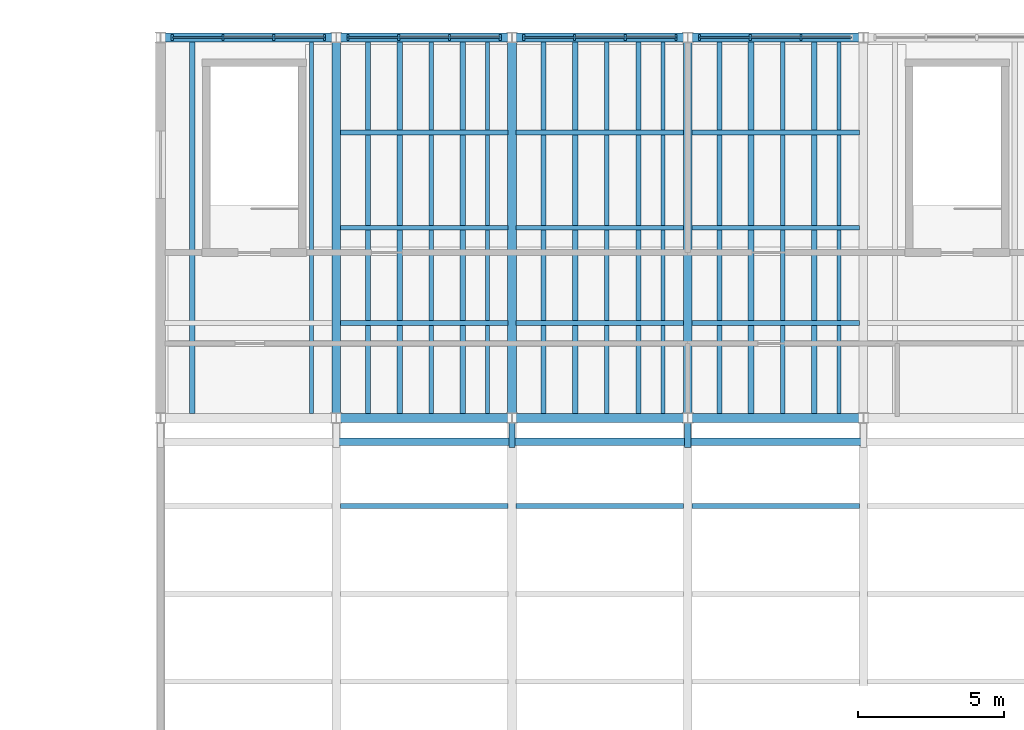
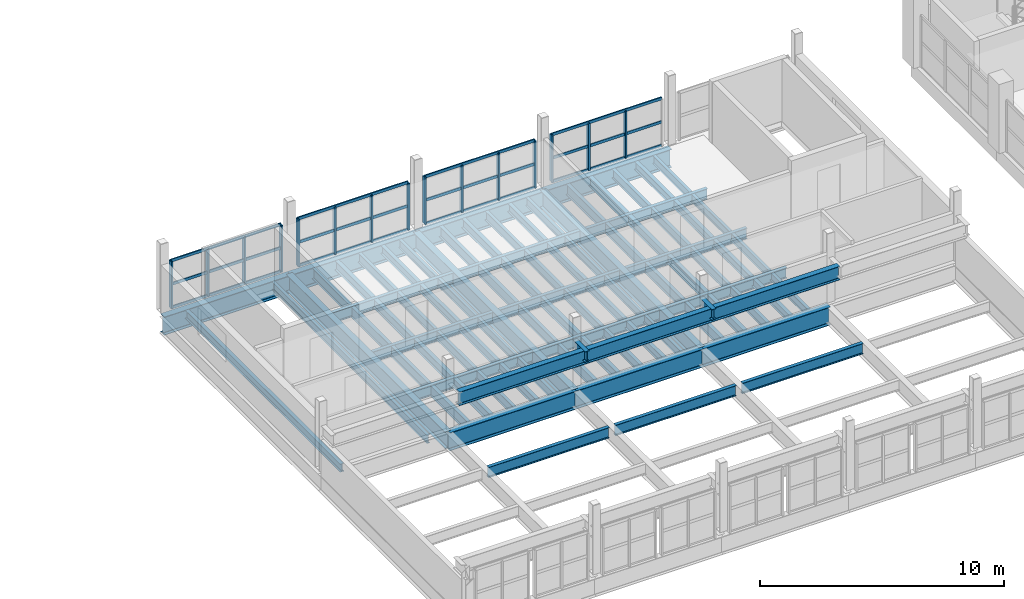
# One storey, part 38 of 77: 44 beams, 27 members, 4 elements without a shape of their own.
"""IFC4 building model written with IfcOpenShell, lengths in metres."""

from ifc_helpers import new_model, si_unit, direction, frame, origin, origin_2d, place, context, subcontext, project, spatial, rectangle, i_section, extrude, material, layer, layer_set, material_profile, profile_set, type_object, element, aggregate, save


model = new_model("IFC4")

# Units and contexts
model_context = context("Model", 3, precision=1e-05, world=origin(), true_north=direction((0.0, 1.0)))
body_context = subcontext(model_context, "Body", "Model", "MODEL_VIEW")
ifc_project = project(units=[si_unit("LENGTHUNIT", "METRE"), si_unit("AREAUNIT", "SQUARE_METRE"), si_unit("VOLUMEUNIT", "CUBIC_METRE"), si_unit("PLANEANGLEUNIT", "RADIAN"), si_unit("MASSUNIT", "GRAM", prefix="KILO")], contexts=[model_context])

# Site, building, storey
site_placement = place(None, origin())
site = spatial("IfcSite", under=ifc_project, at=site_placement, CompositionType="ELEMENT")
building_placement = place(site_placement, origin())
building = spatial("IfcBuilding", under=site, at=building_placement, Name="Trellovar Central Fire Station", CompositionType="ELEMENT")
storey_placement = place(building_placement, frame((0.0, 0.0, 5.85009765625)))
storey = spatial("IfcBuildingStorey", under=building, at=storey_placement, Name="L02", CompositionType="ELEMENT", Elevation=5.85009765625)

# Beams
ifc_material_1 = material(Name="Steel ASTM A992 Grade 50", Category="steel")
ifc_material_profile_1 = material_profile(ifc_material_1, i_section(OverallWidth=0.3046875, OverallDepth=0.911865234375, WebThickness=0.015869140625, FlangeThickness=0.02392578125, FilletRadius=0.024169921875, at=origin_2d()), Name="W36X150")
ifc_profile_set_1 = profile_set([ifc_material_profile_1], Name="Steel ASTM A992 Grade 50")
beam_type_1 = type_object("IfcBeamType", Name="BM-SW1", PredefinedType="BEAM", material=ifc_profile_set_1)
for number, where, z_axis, x_axis, name in (
    (1, (111.5, 60.0, -0.7060546875), (1.0, 0.0, 0.0), (0.0, 1.0, 0.0), "L02 beam SB-1"),
    (2, (117.5, 60.0, -0.7060546875), (1.0, 0.0, 0.0), (0.0, 1.0, 0.0), "L02 beam SB-1"),
    (3, (123.5, 60.0, -0.7060546875), (1.0, 0.0, 0.0), (0.0, 1.0, 0.0), "L02 beam SB-1"),
    (4, (105.5, 73.0, -0.7060546875), (1.0, 0.0, 0.0), (0.0, 1.0, 0.0), "L02 beam SB-1"),
    (5, (111.5, 73.0, -0.7060546875), (1.0, 0.0, 0.0), (0.0, 1.0, 0.0), "L02 beam SB-1"),
    (6, (117.5, 73.0, -0.7060546875), (1.0, 0.0, 0.0), (0.0, 1.0, 0.0), "L02 beam SB-1"),
    (7, (123.5, 73.0, -0.7060546875), (1.0, 0.0, 0.0), (0.0, 1.0, 0.0), "L02 beam SB-1"),
):
    element("IfcBeam", number, at=place(storey_placement, frame(where, z_axis=z_axis, x_axis=x_axis)), inside=storey, type_object=beam_type_1, Name=name, PredefinedType="BEAM", context=body_context, shape_type="SweptSolid", body=[
        extrude(i_section(OverallWidth=0.3046875, OverallDepth=0.911865234375, WebThickness=0.015869140625, FlangeThickness=0.02392578125, FilletRadius=0.024169921875, at=origin_2d()), origin(), (0.0, 0.0, 1.0), 6.0),
    ])
ifc_material_2 = material(Name="Steel ASTM A992 Grade 50", Category="steel")
ifc_material_profile_2 = material_profile(ifc_material_2, i_section(OverallWidth=0.15283203125, OverallDepth=0.45458984375, WebThickness=0.008056640625, FlangeThickness=0.01318359375, FilletRadius=0.0126953125, at=origin_2d()), Name="W18X40")
ifc_profile_set_2 = profile_set([ifc_material_profile_2], Name="Steel ASTM A992 Grade 50")
beam_type_2 = type_object("IfcBeamType", Name="BM-SW10", PredefinedType="JOIST", material=ifc_profile_set_2)
for number, where, z_axis, x_axis, name in (
    (8, (114.739990234375, 60.14990234375, -0.4775390625), (0.0, 1.0, 0.0), (-1.0, 0.0, 0.0), "L02 secondary steel deck joist"),
    (9, (120.739990234375, 60.14990234375, -0.4775390625), (0.0, 1.0, 0.0), (-1.0, 0.0, 0.0), "L02 secondary steel deck joist"),
    (10, (126.739990234375, 60.14990234375, -0.4775390625), (0.0, 1.0, 0.0), (-1.0, 0.0, 0.0), "L02 secondary steel deck joist"),
):
    element("IfcBeam", number, at=place(storey_placement, frame(where, z_axis=z_axis, x_axis=x_axis)), inside=storey, type_object=beam_type_2, Name=name, PredefinedType="JOIST", context=body_context, shape_type="SweptSolid", body=[
        extrude(i_section(OverallWidth=0.15283203125, OverallDepth=0.45458984375, WebThickness=0.008056640625, FlangeThickness=0.01318359375, FilletRadius=0.0126953125, at=origin_2d()), origin(), (0.0, 0.0, 1.0), 12.7001953125),
    ])
ifc_material_3 = material(Name="Steel ASTM A992 Grade 50", Category="steel")
ifc_material_profile_3 = material_profile(ifc_material_3, i_section(OverallWidth=0.177490234375, OverallDepth=0.40380859375, WebThickness=0.007568359375, FlangeThickness=0.010986328125, FilletRadius=0.011474609375, at=origin_2d()), Name="W16X36")
ifc_profile_set_3 = profile_set([ifc_material_profile_3], Name="Steel ASTM A992 Grade 50")
beam_type_3 = type_object("IfcBeamType", Name="BM-SW11", PredefinedType="JOIST", material=ifc_profile_set_3)
for number, where, z_axis, x_axis, name in (
    (11, (106.580078125, 60.14990234375, -0.4521484375), (0.0, 1.0, 0.0), (-1.0, 0.0, 0.0), "L02 secondary steel deck joist"),
    (12, (115.820068359375, 60.14990234375, -0.4521484375), (0.0, 1.0, 0.0), (-1.0, 0.0, 0.0), "L02 secondary steel deck joist"),
    (13, (121.820068359375, 60.14990234375, -0.4521484375), (0.0, 1.0, 0.0), (-1.0, 0.0, 0.0), "L02 secondary steel deck joist"),
    (14, (127.820068359375, 60.14990234375, -0.4521484375), (0.0, 1.0, 0.0), (-1.0, 0.0, 0.0), "L02 secondary steel deck joist"),
):
    element("IfcBeam", number, at=place(storey_placement, frame(where, z_axis=z_axis, x_axis=x_axis)), inside=storey, type_object=beam_type_3, Name=name, PredefinedType="JOIST", context=body_context, shape_type="SweptSolid", body=[
        extrude(i_section(OverallWidth=0.177490234375, OverallDepth=0.40380859375, WebThickness=0.007568359375, FlangeThickness=0.010986328125, FilletRadius=0.011474609375, at=origin_2d()), origin(), (0.0, 0.0, 1.0), 12.7001953125),
    ])
ifc_material_4 = material(Name="Steel ASTM A992 Grade 50", Category="steel")
ifc_material_profile_4 = material_profile(ifc_material_4, i_section(OverallWidth=0.140380859375, OverallDepth=0.4033203125, WebThickness=0.007080078125, FlangeThickness=0.01123046875, FilletRadius=0.011474609375, at=origin_2d()), Name="W16X31")
ifc_profile_set_4 = profile_set([ifc_material_profile_4], Name="Steel ASTM A992 Grade 50")
beam_type_4 = type_object("IfcBeamType", Name="BM-SW12", PredefinedType="JOIST", material=ifc_profile_set_4)
for number, where, z_axis, x_axis, name in (
    (15, (110.659912109375, 60.14990234375, -0.451904296875), (0.0, 1.0, 0.0), (-1.0, 0.0, 0.0), "L02 secondary steel deck joist"),
    (16, (116.659912109375, 60.14990234375, -0.451904296875), (0.0, 1.0, 0.0), (-1.0, 0.0, 0.0), "L02 secondary steel deck joist"),
    (17, (122.659912109375, 60.14990234375, -0.451904296875), (0.0, 1.0, 0.0), (-1.0, 0.0, 0.0), "L02 secondary steel deck joist"),
    (18, (128.659912109375, 60.14990234375, -0.451904296875), (0.0, 1.0, 0.0), (-1.0, 0.0, 0.0), "L02 secondary steel deck joist"),
):
    element("IfcBeam", number, at=place(storey_placement, frame(where, z_axis=z_axis, x_axis=x_axis)), inside=storey, type_object=beam_type_4, Name=name, PredefinedType="JOIST", context=body_context, shape_type="SweptSolid", body=[
        extrude(i_section(OverallWidth=0.140380859375, OverallDepth=0.4033203125, WebThickness=0.007080078125, FlangeThickness=0.01123046875, FilletRadius=0.011474609375, at=origin_2d()), origin(), (0.0, 0.0, 1.0), 12.7001953125),
    ])
ifc_material_5 = material(Name="Steel ASTM A992 Grade 50", Category="steel")
ifc_material_profile_5 = material_profile(ifc_material_5, i_section(OverallWidth=0.2919921875, OverallDepth=0.8408203125, WebThickness=0.0146484375, FlangeThickness=0.021728515625, FilletRadius=0.020263671875, at=origin_2d()), Name="W33X130")
ifc_profile_set_5 = profile_set([ifc_material_profile_5], Name="Steel ASTM A992 Grade 50")
beam_type_5 = type_object("IfcBeamType", Name="BM-SW2", PredefinedType="BEAM", material=ifc_profile_set_5)
for number, where, z_axis, x_axis, name in (
    (19, (111.5, 60.0, -0.67041015625), (0.0, 1.0, 0.0), (-1.0, 0.0, 0.0), "L02 beam SB-2"),
    (20, (117.5, 60.0, -0.67041015625), (0.0, 1.0, 0.0), (-1.0, 0.0, 0.0), "L02 beam SB-2"),
    (21, (123.5, 60.0, -0.67041015625), (0.0, 1.0, 0.0), (-1.0, 0.0, 0.0), "L02 beam SB-2"),
):
    element("IfcBeam", number, at=place(storey_placement, frame(where, z_axis=z_axis, x_axis=x_axis)), inside=storey, type_object=beam_type_5, Name=name, PredefinedType="BEAM", context=body_context, shape_type="SweptSolid", body=[
        extrude(i_section(OverallWidth=0.2919921875, OverallDepth=0.8408203125, WebThickness=0.0146484375, FlangeThickness=0.021728515625, FilletRadius=0.020263671875, at=origin_2d()), origin(), (0.0, 0.0, 1.0), 13.0),
    ])
ifc_material_6 = material(Name="Steel ASTM A992 Grade 50", Category="steel")
ifc_material_profile_6 = material_profile(ifc_material_6, i_section(OverallWidth=0.253662109375, OverallDepth=0.683349609375, WebThickness=0.012451171875, FlangeThickness=0.018798828125, FilletRadius=0.0166015625, at=origin_2d()), Name="W27X94")
ifc_profile_set_6 = profile_set([ifc_material_profile_6], Name="Steel ASTM A992 Grade 50")
beam_type_6 = type_object("IfcBeamType", Name="BM-SW4", PredefinedType="BEAM", material=ifc_profile_set_6)
for number, where, z_axis, x_axis, name in (
    (22, (111.5, 59.199951171875, 1.908203125), (1.0, 0.0, 0.0), (0.0, 1.0, 0.0), "Fleet workshop 10t bridge crane runway beam"),
    (23, (117.5, 59.199951171875, 1.908203125), (1.0, 0.0, 0.0), (0.0, 1.0, 0.0), "Fleet workshop 10t bridge crane runway beam"),
    (24, (123.5, 59.199951171875, 1.908203125), (1.0, 0.0, 0.0), (0.0, 1.0, 0.0), "Fleet workshop 10t bridge crane runway beam"),
):
    element("IfcBeam", number, at=place(storey_placement, frame(where, z_axis=z_axis, x_axis=x_axis)), inside=storey, type_object=beam_type_6, Name=name, PredefinedType="BEAM", context=body_context, shape_type="SweptSolid", body=[
        extrude(i_section(OverallWidth=0.253662109375, OverallDepth=0.683349609375, WebThickness=0.012451171875, FlangeThickness=0.018798828125, FilletRadius=0.0166015625, at=origin_2d()), origin(), (0.0, 0.0, 1.0), 6.0),
    ])
ifc_material_7 = material(Name="Steel ASTM A992 Grade 50", Category="steel")
ifc_material_profile_7 = material_profile(ifc_material_7, i_section(OverallWidth=0.209228515625, OverallDepth=0.533447265625, WebThickness=0.01025390625, FlangeThickness=0.015625, FilletRadius=0.013916015625, at=origin_2d()), Name="W21X62")
ifc_profile_set_7 = profile_set([ifc_material_profile_7], Name="Steel ASTM A992 Grade 50")
beam_type_7 = type_object("IfcBeamType", Name="BM-SW7", PredefinedType="BEAM", material=ifc_profile_set_7)
for number, where, z_axis, x_axis, name in (
    (25, (117.5, 59.0, 1.983154296875), (0.0, 1.0, 0.0), (-1.0, 0.0, 0.0), "Crane runway column corbel N"),
    (26, (123.5, 59.0, 1.983154296875), (0.0, 1.0, 0.0), (-1.0, 0.0, 0.0), "Crane runway column corbel N"),
):
    element("IfcBeam", number, at=place(storey_placement, frame(where, z_axis=z_axis, x_axis=x_axis)), inside=storey, type_object=beam_type_7, Name=name, PredefinedType="BEAM", context=body_context, shape_type="SweptSolid", body=[
        extrude(i_section(OverallWidth=0.209228515625, OverallDepth=0.533447265625, WebThickness=0.01025390625, FlangeThickness=0.015625, FilletRadius=0.013916015625, at=origin_2d()), origin(), (0.0, 0.0, 1.0), 1.0),
    ])
ifc_material_8 = material(Name="Steel ASTM A992 Grade 50", Category="steel")
ifc_material_profile_8 = material_profile(ifc_material_8, i_section(OverallWidth=0.166015625, OverallDepth=0.529052734375, WebThickness=0.009765625, FlangeThickness=0.013671875, FilletRadius=0.013916015625, at=origin_2d()), Name="W21X50")
ifc_profile_set_8 = profile_set([ifc_material_profile_8], Name="Steel ASTM A992 Grade 50")
beam_type_8 = type_object("IfcBeamType", Name="BM-SW8", PredefinedType="JOIST", material=ifc_profile_set_8)
for number, where, z_axis, x_axis, name in (
    (27, (111.64111328125, 57.0, -0.5146484375), (1.0, 0.0, 0.0), (0.0, 1.0, 0.0), "L02 beam SB-8"),
    (28, (111.64111328125, 63.25, -0.5146484375), (1.0, 0.0, 0.0), (0.0, 1.0, 0.0), "L02 beam SB-8"),
    (29, (111.64111328125, 66.5, -0.5146484375), (1.0, 0.0, 0.0), (0.0, 1.0, 0.0), "L02 beam SB-8"),
    (30, (111.64111328125, 69.75, -0.5146484375), (1.0, 0.0, 0.0), (0.0, 1.0, 0.0), "L02 beam SB-8"),
    (31, (117.64111328125, 57.0, -0.5146484375), (1.0, 0.0, 0.0), (0.0, 1.0, 0.0), "L02 beam SB-8"),
    (32, (117.64111328125, 63.25, -0.5146484375), (1.0, 0.0, 0.0), (0.0, 1.0, 0.0), "L02 beam SB-8"),
    (33, (117.64111328125, 66.5, -0.5146484375), (1.0, 0.0, 0.0), (0.0, 1.0, 0.0), "L02 beam SB-8"),
    (34, (117.64111328125, 69.75, -0.5146484375), (1.0, 0.0, 0.0), (0.0, 1.0, 0.0), "L02 beam SB-8"),
    (35, (123.64111328125, 57.0, -0.5146484375), (1.0, 0.0, 0.0), (0.0, 1.0, 0.0), "L02 beam SB-8"),
    (36, (123.64111328125, 63.25, -0.5146484375), (1.0, 0.0, 0.0), (0.0, 1.0, 0.0), "L02 beam SB-8"),
    (37, (123.64111328125, 66.5, -0.5146484375), (1.0, 0.0, 0.0), (0.0, 1.0, 0.0), "L02 beam SB-8"),
    (38, (123.64111328125, 69.75, -0.5146484375), (1.0, 0.0, 0.0), (0.0, 1.0, 0.0), "L02 beam SB-8"),
):
    element("IfcBeam", number, at=place(storey_placement, frame(where, z_axis=z_axis, x_axis=x_axis)), inside=storey, type_object=beam_type_8, Name=name, PredefinedType="JOIST", context=body_context, shape_type="SweptSolid", body=[
        extrude(i_section(OverallWidth=0.166015625, OverallDepth=0.529052734375, WebThickness=0.009765625, FlangeThickness=0.013671875, FilletRadius=0.013916015625, at=origin_2d()), origin(), (0.0, 0.0, 1.0), 5.7177734375),
    ])
for number, where, z_axis, x_axis, name in (
    (39, (112.580078125, 60.14990234375, -0.5146484375), (0.0, 1.0, 0.0), (-1.0, 0.0, 0.0), "L02 secondary steel deck joist"),
    (40, (118.580078125, 60.14990234375, -0.5146484375), (0.0, 1.0, 0.0), (-1.0, 0.0, 0.0), "L02 secondary steel deck joist"),
    (41, (124.580078125, 60.14990234375, -0.5146484375), (0.0, 1.0, 0.0), (-1.0, 0.0, 0.0), "L02 secondary steel deck joist"),
):
    element("IfcBeam", number, at=place(storey_placement, frame(where, z_axis=z_axis, x_axis=x_axis)), inside=storey, type_object=beam_type_8, Name=name, PredefinedType="JOIST", context=body_context, shape_type="SweptSolid", body=[
        extrude(i_section(OverallWidth=0.166015625, OverallDepth=0.529052734375, WebThickness=0.009765625, FlangeThickness=0.013671875, FilletRadius=0.013916015625, at=origin_2d()), origin(), (0.0, 0.0, 1.0), 12.7001953125),
    ])
ifc_material_9 = material(Name="Steel ASTM A992 Grade 50", Category="steel")
ifc_material_profile_9 = material_profile(ifc_material_9, i_section(OverallWidth=0.1904296875, OverallDepth=0.457275390625, WebThickness=0.009033203125, FlangeThickness=0.014404296875, FilletRadius=0.0126953125, at=origin_2d()), Name="W18X50")
ifc_profile_set_9 = profile_set([ifc_material_profile_9], Name="Steel ASTM A992 Grade 50")
beam_type_9 = type_object("IfcBeamType", Name="BM-SW9", PredefinedType="JOIST", material=ifc_profile_set_9)
for number, where, z_axis, x_axis, name in (
    (42, (113.659912109375, 60.14990234375, -0.478759765625), (0.0, 1.0, 0.0), (-1.0, 0.0, 0.0), "L02 secondary steel deck joist"),
    (43, (119.659912109375, 60.14990234375, -0.478759765625), (0.0, 1.0, 0.0), (-1.0, 0.0, 0.0), "L02 secondary steel deck joist"),
    (44, (125.659912109375, 60.14990234375, -0.478759765625), (0.0, 1.0, 0.0), (-1.0, 0.0, 0.0), "L02 secondary steel deck joist"),
):
    element("IfcBeam", number, at=place(storey_placement, frame(where, z_axis=z_axis, x_axis=x_axis)), inside=storey, type_object=beam_type_9, Name=name, PredefinedType="JOIST", context=body_context, shape_type="SweptSolid", body=[
        extrude(i_section(OverallWidth=0.1904296875, OverallDepth=0.457275390625, WebThickness=0.009033203125, FlangeThickness=0.014404296875, FilletRadius=0.0126953125, at=origin_2d()), origin(), (0.0, 0.0, 1.0), 12.7001953125),
    ])

# Curtain wall, members
ifc_material_10 = material(Name="Thermally broken bronze anodized aluminum", Category="aluminium")
ifc_layer = layer(ifc_material_10, 0.159912109375)
ifc_layer_set = layer_set([ifc_layer], Name="Thermally broken bronze anodized aluminum")
curtain_wall_type = type_object("IfcCurtainWallType", Name="CW-13", PredefinedType="NOTDEFINED", material=ifc_layer_set)
curtain_wall_1_placement = place(storey_placement, origin())
curtain_wall_1 = element("IfcCurtainWall", 45, at=curtain_wall_1_placement, inside=storey, type_object=curtain_wall_type, Name="V6 L02 north clerestory 1", PredefinedType="NOTDEFINED")
ifc_material_11 = material(Name="Thermally broken bronze anodized aluminum", Category="aluminium")
ifc_material_profile_10 = material_profile(ifc_material_11, rectangle(XDim=0.074951171875, YDim=0.199951171875, at=origin_2d()), Name="ALU75X200")
ifc_profile_set_10 = profile_set([ifc_material_profile_10], Name="Thermally broken bronze anodized aluminum")
member_type_1 = type_object("IfcMemberType", Name="CWM-1", PredefinedType="MULLION", material=ifc_profile_set_10)
member_1_placement = place(storey_placement, frame((111.10009765625, 73.0, 0.0), z_axis=(0.0, 0.0, 1.0), x_axis=(1.0, 0.0, 0.0)))
member_1 = element("IfcMember", 46, at=member_1_placement, type_object=member_type_1, Name="CW3-L02-0106 mullion 1", PredefinedType="MULLION", context=body_context, shape_type="SweptSolid", body=[
    extrude(rectangle(XDim=0.074951171875, YDim=0.199951171875, at=origin_2d()), origin(), (0.0, 0.0, 1.0), 2.347900390625),
])
member_2_placement = place(storey_placement, frame((109.36669921875, 73.0, 0.0), z_axis=(0.0, 0.0, 1.0), x_axis=(1.0, 0.0, 0.0)))
member_2 = element("IfcMember", 47, at=member_2_placement, type_object=member_type_1, Name="CW3-L02-0106 mullion 2", PredefinedType="MULLION", context=body_context, shape_type="SweptSolid", body=[
    extrude(rectangle(XDim=0.074951171875, YDim=0.199951171875, at=origin_2d()), origin(), (0.0, 0.0, 1.0), 2.347900390625),
])
member_3_placement = place(storey_placement, frame((107.63330078125, 73.0, 0.0), z_axis=(0.0, 0.0, 1.0), x_axis=(1.0, 0.0, 0.0)))
member_3 = element("IfcMember", 48, at=member_3_placement, type_object=member_type_1, Name="CW3-L02-0106 mullion 3", PredefinedType="MULLION", context=body_context, shape_type="SweptSolid", body=[
    extrude(rectangle(XDim=0.074951171875, YDim=0.199951171875, at=origin_2d()), origin(), (0.0, 0.0, 1.0), 2.347900390625),
])
member_4_placement = place(storey_placement, frame((105.89990234375, 73.0, 0.0), z_axis=(0.0, 0.0, 1.0), x_axis=(1.0, 0.0, 0.0)))
member_4 = element("IfcMember", 49, at=member_4_placement, type_object=member_type_1, Name="CW3-L02-0106 mullion 4", PredefinedType="MULLION", context=body_context, shape_type="SweptSolid", body=[
    extrude(rectangle(XDim=0.074951171875, YDim=0.199951171875, at=origin_2d()), origin(), (0.0, 0.0, 1.0), 2.347900390625),
])

curtain_wall_2_placement = place(storey_placement, origin())
curtain_wall_2 = element("IfcCurtainWall", 50, at=curtain_wall_2_placement, inside=storey, type_object=curtain_wall_type, Name="V6 L02 north clerestory 2", PredefinedType="NOTDEFINED")
member_5_placement = place(storey_placement, frame((117.10009765625, 73.0, 0.0), z_axis=(0.0, 0.0, 1.0), x_axis=(1.0, 0.0, 0.0)))
member_5 = element("IfcMember", 51, at=member_5_placement, type_object=member_type_1, Name="CW3-L02-0114 mullion 1", PredefinedType="MULLION", context=body_context, shape_type="SweptSolid", body=[
    extrude(rectangle(XDim=0.074951171875, YDim=0.199951171875, at=origin_2d()), origin(), (0.0, 0.0, 1.0), 2.347900390625),
])
member_6_placement = place(storey_placement, frame((115.36669921875, 73.0, 0.0), z_axis=(0.0, 0.0, 1.0), x_axis=(1.0, 0.0, 0.0)))
member_6 = element("IfcMember", 52, at=member_6_placement, type_object=member_type_1, Name="CW3-L02-0114 mullion 2", PredefinedType="MULLION", context=body_context, shape_type="SweptSolid", body=[
    extrude(rectangle(XDim=0.074951171875, YDim=0.199951171875, at=origin_2d()), origin(), (0.0, 0.0, 1.0), 2.347900390625),
])
member_7_placement = place(storey_placement, frame((113.63330078125, 73.0, 0.0), z_axis=(0.0, 0.0, 1.0), x_axis=(1.0, 0.0, 0.0)))
member_7 = element("IfcMember", 53, at=member_7_placement, type_object=member_type_1, Name="CW3-L02-0114 mullion 3", PredefinedType="MULLION", context=body_context, shape_type="SweptSolid", body=[
    extrude(rectangle(XDim=0.074951171875, YDim=0.199951171875, at=origin_2d()), origin(), (0.0, 0.0, 1.0), 2.347900390625),
])
member_8_placement = place(storey_placement, frame((111.89990234375, 73.0, 0.0), z_axis=(0.0, 0.0, 1.0), x_axis=(1.0, 0.0, 0.0)))
member_8 = element("IfcMember", 54, at=member_8_placement, type_object=member_type_1, Name="CW3-L02-0114 mullion 4", PredefinedType="MULLION", context=body_context, shape_type="SweptSolid", body=[
    extrude(rectangle(XDim=0.074951171875, YDim=0.199951171875, at=origin_2d()), origin(), (0.0, 0.0, 1.0), 2.347900390625),
])

curtain_wall_3_placement = place(storey_placement, origin())
curtain_wall_3 = element("IfcCurtainWall", 55, at=curtain_wall_3_placement, inside=storey, type_object=curtain_wall_type, Name="V6 L02 north clerestory 3", PredefinedType="NOTDEFINED")
member_9_placement = place(storey_placement, frame((123.10009765625, 73.0, 0.0), z_axis=(0.0, 0.0, 1.0), x_axis=(1.0, 0.0, 0.0)))
member_9 = element("IfcMember", 56, at=member_9_placement, type_object=member_type_1, Name="CW3-L02-0122 mullion 1", PredefinedType="MULLION", context=body_context, shape_type="SweptSolid", body=[
    extrude(rectangle(XDim=0.074951171875, YDim=0.199951171875, at=origin_2d()), origin(), (0.0, 0.0, 1.0), 2.347900390625),
])
member_10_placement = place(storey_placement, frame((121.36669921875, 73.0, 0.0), z_axis=(0.0, 0.0, 1.0), x_axis=(1.0, 0.0, 0.0)))
member_10 = element("IfcMember", 57, at=member_10_placement, type_object=member_type_1, Name="CW3-L02-0122 mullion 2", PredefinedType="MULLION", context=body_context, shape_type="SweptSolid", body=[
    extrude(rectangle(XDim=0.074951171875, YDim=0.199951171875, at=origin_2d()), origin(), (0.0, 0.0, 1.0), 2.347900390625),
])
member_11_placement = place(storey_placement, frame((119.63330078125, 73.0, 0.0), z_axis=(0.0, 0.0, 1.0), x_axis=(1.0, 0.0, 0.0)))
member_11 = element("IfcMember", 58, at=member_11_placement, type_object=member_type_1, Name="CW3-L02-0122 mullion 3", PredefinedType="MULLION", context=body_context, shape_type="SweptSolid", body=[
    extrude(rectangle(XDim=0.074951171875, YDim=0.199951171875, at=origin_2d()), origin(), (0.0, 0.0, 1.0), 2.347900390625),
])
member_12_placement = place(storey_placement, frame((117.89990234375, 73.0, 0.0), z_axis=(0.0, 0.0, 1.0), x_axis=(1.0, 0.0, 0.0)))
member_12 = element("IfcMember", 59, at=member_12_placement, type_object=member_type_1, Name="CW3-L02-0122 mullion 4", PredefinedType="MULLION", context=body_context, shape_type="SweptSolid", body=[
    extrude(rectangle(XDim=0.074951171875, YDim=0.199951171875, at=origin_2d()), origin(), (0.0, 0.0, 1.0), 2.347900390625),
])

curtain_wall_4_placement = place(storey_placement, origin())
curtain_wall_4 = element("IfcCurtainWall", 60, at=curtain_wall_4_placement, inside=storey, type_object=curtain_wall_type, Name="V6 L02 north clerestory 4", PredefinedType="NOTDEFINED")
member_13_placement = place(storey_placement, frame((127.36669921875, 73.0, 0.0), z_axis=(0.0, 0.0, 1.0), x_axis=(1.0, 0.0, 0.0)))
member_13 = element("IfcMember", 61, at=member_13_placement, type_object=member_type_1, Name="CW3-L02-0130 mullion 2", PredefinedType="MULLION", context=body_context, shape_type="SweptSolid", body=[
    extrude(rectangle(XDim=0.074951171875, YDim=0.199951171875, at=origin_2d()), origin(), (0.0, 0.0, 1.0), 2.347900390625),
])
member_14_placement = place(storey_placement, frame((125.63330078125, 73.0, 0.0), z_axis=(0.0, 0.0, 1.0), x_axis=(1.0, 0.0, 0.0)))
member_14 = element("IfcMember", 62, at=member_14_placement, type_object=member_type_1, Name="CW3-L02-0130 mullion 3", PredefinedType="MULLION", context=body_context, shape_type="SweptSolid", body=[
    extrude(rectangle(XDim=0.074951171875, YDim=0.199951171875, at=origin_2d()), origin(), (0.0, 0.0, 1.0), 2.347900390625),
])
member_15_placement = place(storey_placement, frame((123.89990234375, 73.0, 0.0), z_axis=(0.0, 0.0, 1.0), x_axis=(1.0, 0.0, 0.0)))
member_15 = element("IfcMember", 63, at=member_15_placement, type_object=member_type_1, Name="CW3-L02-0130 mullion 4", PredefinedType="MULLION", context=body_context, shape_type="SweptSolid", body=[
    extrude(rectangle(XDim=0.074951171875, YDim=0.199951171875, at=origin_2d()), origin(), (0.0, 0.0, 1.0), 2.347900390625),
])

# Member
ifc_material_12 = material(Name="Thermally broken bronze anodized aluminum", Category="aluminium")
ifc_material_profile_11 = material_profile(ifc_material_12, rectangle(XDim=0.06005859375, YDim=0.139892578125, at=origin_2d()), Name="ALU60X140")
ifc_profile_set_11 = profile_set([ifc_material_profile_11], Name="Thermally broken bronze anodized aluminum")
member_type_2 = type_object("IfcMemberType", Name="CWT-1", PredefinedType="USERDEFINED", material=ifc_profile_set_11)
member_16_placement = place(storey_placement, frame((111.10009765625, 73.0, 0.0), z_axis=(-1.0, 0.0, 0.0), x_axis=(0.0, -1.0, 0.0)))
member_16 = element("IfcMember", 64, at=member_16_placement, type_object=member_type_2, Name="CW3-L02-0106 transom 1", ObjectType="TRANSOM", PredefinedType="USERDEFINED", context=body_context, shape_type="SweptSolid", body=[
    extrude(rectangle(XDim=0.06005859375, YDim=0.139892578125, at=origin_2d()), origin(), (0.0, 0.0, 1.0), 5.2001953125),
])

member_17_placement = place(storey_placement, frame((111.10009765625, 73.0, 1.173828125), z_axis=(-1.0, 0.0, 0.0), x_axis=(0.0, -1.0, 0.0)))
member_17 = element("IfcMember", 65, at=member_17_placement, type_object=member_type_2, Name="CW3-L02-0106 transom 2", ObjectType="TRANSOM", PredefinedType="USERDEFINED", context=body_context, shape_type="SweptSolid", body=[
    extrude(rectangle(XDim=0.06005859375, YDim=0.139892578125, at=origin_2d()), origin(), (0.0, 0.0, 1.0), 5.2001953125),
])

member_18_placement = place(storey_placement, frame((111.10009765625, 73.0, 2.347900390625), z_axis=(-1.0, 0.0, 0.0), x_axis=(0.0, -1.0, 0.0)))
member_18 = element("IfcMember", 66, at=member_18_placement, type_object=member_type_2, Name="CW3-L02-0106 transom 3", ObjectType="TRANSOM", PredefinedType="USERDEFINED", context=body_context, shape_type="SweptSolid", body=[
    extrude(rectangle(XDim=0.06005859375, YDim=0.139892578125, at=origin_2d()), origin(), (0.0, 0.0, 1.0), 5.2001953125),
])

aggregate(curtain_wall_1, [member_1, member_2, member_3, member_4, member_16, member_17, member_18])

member_19_placement = place(storey_placement, frame((117.10009765625, 73.0, 0.0), z_axis=(-1.0, 0.0, 0.0), x_axis=(0.0, -1.0, 0.0)))
member_19 = element("IfcMember", 67, at=member_19_placement, type_object=member_type_2, Name="CW3-L02-0114 transom 1", ObjectType="TRANSOM", PredefinedType="USERDEFINED", context=body_context, shape_type="SweptSolid", body=[
    extrude(rectangle(XDim=0.06005859375, YDim=0.139892578125, at=origin_2d()), origin(), (0.0, 0.0, 1.0), 5.2001953125),
])

member_20_placement = place(storey_placement, frame((117.10009765625, 73.0, 1.173828125), z_axis=(-1.0, 0.0, 0.0), x_axis=(0.0, -1.0, 0.0)))
member_20 = element("IfcMember", 68, at=member_20_placement, type_object=member_type_2, Name="CW3-L02-0114 transom 2", ObjectType="TRANSOM", PredefinedType="USERDEFINED", context=body_context, shape_type="SweptSolid", body=[
    extrude(rectangle(XDim=0.06005859375, YDim=0.139892578125, at=origin_2d()), origin(), (0.0, 0.0, 1.0), 5.2001953125),
])

member_21_placement = place(storey_placement, frame((117.10009765625, 73.0, 2.347900390625), z_axis=(-1.0, 0.0, 0.0), x_axis=(0.0, -1.0, 0.0)))
member_21 = element("IfcMember", 69, at=member_21_placement, type_object=member_type_2, Name="CW3-L02-0114 transom 3", ObjectType="TRANSOM", PredefinedType="USERDEFINED", context=body_context, shape_type="SweptSolid", body=[
    extrude(rectangle(XDim=0.06005859375, YDim=0.139892578125, at=origin_2d()), origin(), (0.0, 0.0, 1.0), 5.2001953125),
])

aggregate(curtain_wall_2, [member_5, member_6, member_7, member_8, member_19, member_20, member_21])

member_22_placement = place(storey_placement, frame((123.10009765625, 73.0, 0.0), z_axis=(-1.0, 0.0, 0.0), x_axis=(0.0, -1.0, 0.0)))
member_22 = element("IfcMember", 70, at=member_22_placement, type_object=member_type_2, Name="CW3-L02-0122 transom 1", ObjectType="TRANSOM", PredefinedType="USERDEFINED", context=body_context, shape_type="SweptSolid", body=[
    extrude(rectangle(XDim=0.06005859375, YDim=0.139892578125, at=origin_2d()), origin(), (0.0, 0.0, 1.0), 5.2001953125),
])

member_23_placement = place(storey_placement, frame((123.10009765625, 73.0, 1.173828125), z_axis=(-1.0, 0.0, 0.0), x_axis=(0.0, -1.0, 0.0)))
member_23 = element("IfcMember", 71, at=member_23_placement, type_object=member_type_2, Name="CW3-L02-0122 transom 2", ObjectType="TRANSOM", PredefinedType="USERDEFINED", context=body_context, shape_type="SweptSolid", body=[
    extrude(rectangle(XDim=0.06005859375, YDim=0.139892578125, at=origin_2d()), origin(), (0.0, 0.0, 1.0), 5.2001953125),
])

member_24_placement = place(storey_placement, frame((123.10009765625, 73.0, 2.347900390625), z_axis=(-1.0, 0.0, 0.0), x_axis=(0.0, -1.0, 0.0)))
member_24 = element("IfcMember", 72, at=member_24_placement, type_object=member_type_2, Name="CW3-L02-0122 transom 3", ObjectType="TRANSOM", PredefinedType="USERDEFINED", context=body_context, shape_type="SweptSolid", body=[
    extrude(rectangle(XDim=0.06005859375, YDim=0.139892578125, at=origin_2d()), origin(), (0.0, 0.0, 1.0), 5.2001953125),
])

aggregate(curtain_wall_3, [member_9, member_10, member_11, member_12, member_22, member_23, member_24])

member_25_placement = place(storey_placement, frame((129.10009765625, 73.0, 0.0), z_axis=(-1.0, 0.0, 0.0), x_axis=(0.0, -1.0, 0.0)))
member_25 = element("IfcMember", 73, at=member_25_placement, type_object=member_type_2, Name="CW3-L02-0130 transom 1", ObjectType="TRANSOM", PredefinedType="USERDEFINED", context=body_context, shape_type="SweptSolid", body=[
    extrude(rectangle(XDim=0.06005859375, YDim=0.139892578125, at=origin_2d()), origin(), (0.0, 0.0, 1.0), 5.2001953125),
])

member_26_placement = place(storey_placement, frame((129.10009765625, 73.0, 1.173828125), z_axis=(-1.0, 0.0, 0.0), x_axis=(0.0, -1.0, 0.0)))
member_26 = element("IfcMember", 74, at=member_26_placement, type_object=member_type_2, Name="CW3-L02-0130 transom 2", ObjectType="TRANSOM", PredefinedType="USERDEFINED", context=body_context, shape_type="SweptSolid", body=[
    extrude(rectangle(XDim=0.06005859375, YDim=0.139892578125, at=origin_2d()), origin(), (0.0, 0.0, 1.0), 5.2001953125),
])

member_27_placement = place(storey_placement, frame((129.10009765625, 73.0, 2.347900390625), z_axis=(-1.0, 0.0, 0.0), x_axis=(0.0, -1.0, 0.0)))
member_27 = element("IfcMember", 75, at=member_27_placement, type_object=member_type_2, Name="CW3-L02-0130 transom 3", ObjectType="TRANSOM", PredefinedType="USERDEFINED", context=body_context, shape_type="SweptSolid", body=[
    extrude(rectangle(XDim=0.06005859375, YDim=0.139892578125, at=origin_2d()), origin(), (0.0, 0.0, 1.0), 5.2001953125),
])

aggregate(curtain_wall_4, [member_13, member_14, member_15, member_25, member_26, member_27])

save(model, "model.ifc")
